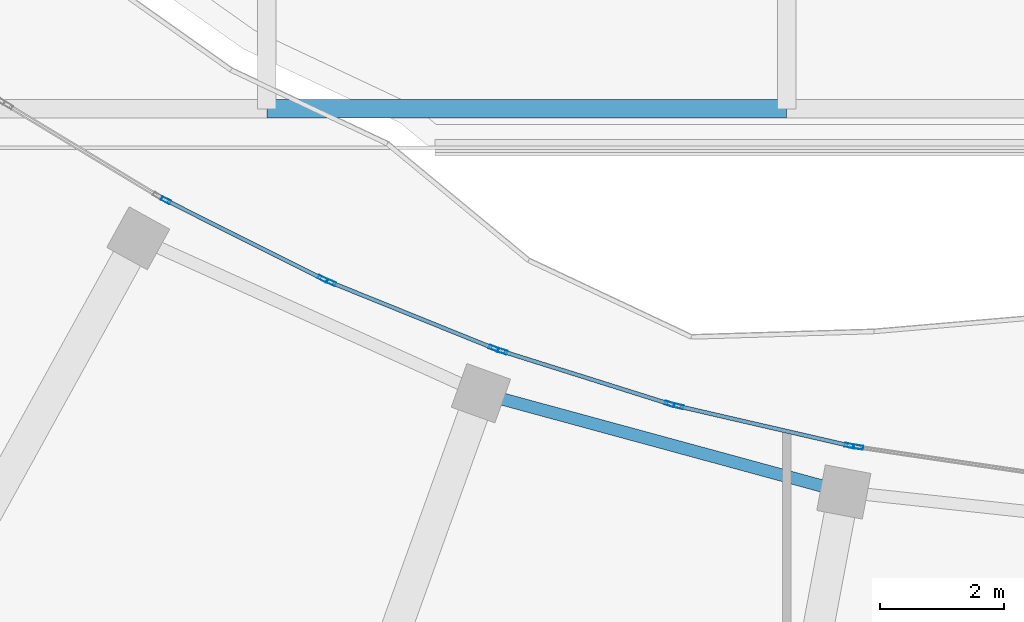
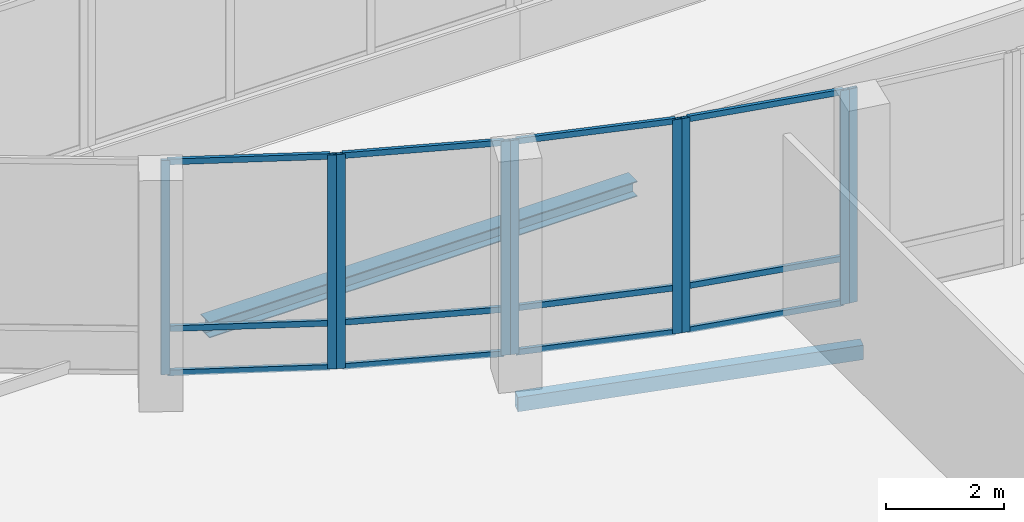
# One storey, part 31 of 168: 21 members, 2 beams, 5 elements without a shape of their own.
"""IFC4 building model written with IfcOpenShell, lengths in metres."""

from ifc_helpers import new_model, si_unit, direction, frame, origin, origin_2d, place, context, subcontext, project, spatial, hollow_rectangle, i_section, extrude, material, material_profile, profile_set, type_object, element, aggregate, save


model = new_model("IFC4")

# Units and contexts
model_context = context("Model", 3, precision=1e-05, world=origin(), true_north=direction((0.0, 1.0)))
body_context = subcontext(model_context, "Body", "Model", "MODEL_VIEW")
ifc_project = project(units=[si_unit("LENGTHUNIT", "METRE"), si_unit("AREAUNIT", "SQUARE_METRE"), si_unit("VOLUMEUNIT", "CUBIC_METRE"), si_unit("PLANEANGLEUNIT", "RADIAN"), si_unit("MASSUNIT", "GRAM", prefix="KILO")], contexts=[model_context])

# Site, building, storey
site_placement = place(None, origin())
site = spatial("IfcSite", under=ifc_project, at=site_placement, CompositionType="ELEMENT")
building_placement = place(site_placement, origin())
building = spatial("IfcBuilding", under=site, at=building_placement, Name="Selatvlak General Hospital", CompositionType="ELEMENT")
storey_placement = place(building_placement, frame((0.0, 0.0, 5.39990234375)))
storey = spatial("IfcBuildingStorey", under=building, at=storey_placement, Name="L01", CompositionType="ELEMENT", Elevation=5.39990234375)

# Beams
ifc_material_1 = material(Name="Steel S355", Category="steel")
ifc_material_profile_1 = material_profile(ifc_material_1, i_section(OverallWidth=0.300048828125, OverallDepth=0.320068359375, WebThickness=0.011474609375, FlangeThickness=0.0205078125, at=origin_2d()), Name="HEB 320")
ifc_profile_set_1 = profile_set([ifc_material_profile_1], Name="Steel S355")
beam_type_1 = type_object("IfcBeamType", Name="BM-CAN", PredefinedType="BEAM", material=ifc_profile_set_1)
beam_1_placement = place(storey_placement, frame((39.60009765625, 48.10009765625, -0.47998046875), z_axis=(1.0, 0.0, 0.0), x_axis=(0.0, 1.0, 0.0)))
element("IfcBeam", 1, at=beam_1_placement, inside=storey, type_object=beam_type_1, Name="Beam BMR-L01-2940", PredefinedType="BEAM", context=body_context, shape_type="SweptSolid", body=[
    extrude(i_section(OverallWidth=0.300048828125, OverallDepth=0.320068359375, WebThickness=0.011474609375, FlangeThickness=0.0205078125, at=origin_2d()), origin(), (0.0, 0.0, 1.0), 8.39990234375),
])
ifc_material_profile_2 = material_profile(ifc_material_1, hollow_rectangle(XDim=0.199951171875, YDim=0.300048828125, WallThickness=0.011962890625, at=origin_2d()), Name="RHS 300x200x12")
ifc_profile_set_2 = profile_set([ifc_material_profile_2], Name="Steel S355")
beam_type_2 = type_object("IfcBeamType", Name="BM-SP3", PredefinedType="SPANDREL", material=ifc_profile_set_2)
beam_2_placement = place(storey_placement, frame((43.05908203125, 43.506103515625, -0.469970703125), z_axis=(0.9649036472, -0.262604172892, 0.0), x_axis=(0.262604172892, 0.9649036472, 0.0)))
element("IfcBeam", 2, at=beam_2_placement, inside=storey, type_object=beam_type_2, Name="Beam BMR-L01-0737", PredefinedType="SPANDREL", context=body_context, shape_type="SweptSolid", body=[
    extrude(hollow_rectangle(XDim=0.199951171875, YDim=0.300048828125, WallThickness=0.011962890625, at=origin_2d()), origin(), (0.0, 0.0, 1.0), 6.078369140625),
])

# Curtain wall, members
ifc_material_2 = material(Name="Solar-control Low-E double glazing", Category="glass")
curtain_wall_type_1 = type_object("IfcCurtainWallType", Name="CW-CW-02", PredefinedType="USERDEFINED", material=ifc_material_2)
curtain_wall_1_placement = place(storey_placement, origin())
curtain_wall_1 = element("IfcCurtainWall", 3, at=curtain_wall_1_placement, inside=storey, type_object=curtain_wall_type_1, Name="Glazed facade curtain wall CW-L01-0192", ObjectType="UNITISED CURTAIN WALL", PredefinedType="USERDEFINED")
ifc_material_3 = material(Name="Dark anodised aluminium mullion", Category="aluminium")
ifc_material_profile_3 = material_profile(ifc_material_3, hollow_rectangle(XDim=0.06494140625, YDim=0.159912109375, WallThickness=0.00390625, at=origin_2d()), Name="AL-MUL 65x160x4")
ifc_profile_set_3 = profile_set([ifc_material_profile_3], Name="Dark anodised aluminium mullion")
member_type_1 = type_object("IfcMemberType", Name="CWM-01", PredefinedType="MULLION", material=ifc_profile_set_3)
member_1_placement = place(storey_placement, frame((37.968017578125, 46.62353515625, 0.0), z_axis=(0.0, 0.0, 1.0), x_axis=(0.447627060006, 0.894220339262, 0.0)))
member_1 = element("IfcMember", 4, at=member_1_placement, type_object=member_type_1, Name="CW-02 mullion 1", PredefinedType="MULLION", context=body_context, shape_type="SweptSolid", body=[
    extrude(hollow_rectangle(XDim=0.06494140625, YDim=0.159912109375, WallThickness=0.00390625, at=origin_2d()), origin(), (0.0, 0.0, 1.0), 4.445068359375),
])
member_2_placement = place(storey_placement, frame((40.5048828125, 45.353515625, 0.0), z_axis=(0.0, 0.0, 1.0), x_axis=(0.447627060006, 0.894220339262, 0.0)))
member_2 = element("IfcMember", 5, at=member_2_placement, type_object=member_type_1, Name="CW-02 mullion 2", PredefinedType="MULLION", context=body_context, shape_type="SweptSolid", body=[
    extrude(hollow_rectangle(XDim=0.06494140625, YDim=0.159912109375, WallThickness=0.00390625, at=origin_2d()), origin(), (0.0, 0.0, 1.0), 4.445068359375),
])

curtain_wall_type_2 = type_object("IfcCurtainWallType", Name="CW-CW-01", PredefinedType="USERDEFINED", material=ifc_material_2)
curtain_wall_2_placement = place(storey_placement, origin())
curtain_wall_2 = element("IfcCurtainWall", 6, at=curtain_wall_2_placement, inside=storey, type_object=curtain_wall_type_2, Name="Glazed facade curtain wall CW-L01-0193", ObjectType="UNITISED CURTAIN WALL", PredefinedType="USERDEFINED")
member_3_placement = place(storey_placement, frame((40.63720703125, 45.294921875, 0.0), z_axis=(0.0, 0.0, 1.0), x_axis=(0.374953034584, 0.927043807949, 0.0)))
member_3 = element("IfcMember", 7, at=member_3_placement, type_object=member_type_1, Name="CW-01 mullion 1", PredefinedType="MULLION", context=body_context, shape_type="SweptSolid", body=[
    extrude(hollow_rectangle(XDim=0.06494140625, YDim=0.159912109375, WallThickness=0.00390625, at=origin_2d()), origin(), (0.0, 0.0, 1.0), 4.445068359375),
])
member_4_placement = place(storey_placement, frame((43.266845703125, 44.231201171875, 0.0), z_axis=(0.0, 0.0, 1.0), x_axis=(0.374953034584, 0.927043807949, 0.0)))
member_4 = element("IfcMember", 8, at=member_4_placement, type_object=member_type_1, Name="CW-01 mullion 2", PredefinedType="MULLION", context=body_context, shape_type="SweptSolid", body=[
    extrude(hollow_rectangle(XDim=0.06494140625, YDim=0.159912109375, WallThickness=0.00390625, at=origin_2d()), origin(), (0.0, 0.0, 1.0), 4.445068359375),
])

curtain_wall_3_placement = place(storey_placement, origin())
curtain_wall_3 = element("IfcCurtainWall", 9, at=curtain_wall_3_placement, inside=storey, type_object=curtain_wall_type_1, Name="Glazed facade curtain wall CW-L01-0194", ObjectType="UNITISED CURTAIN WALL", PredefinedType="USERDEFINED")
member_5_placement = place(storey_placement, frame((43.404052734375, 44.183349609375, 0.0), z_axis=(0.0, 0.0, 1.0), x_axis=(0.300372930504, 0.953821840084, 0.0)))
member_5 = element("IfcMember", 10, at=member_5_placement, type_object=member_type_1, Name="CW-02 mullion 1", PredefinedType="MULLION", context=body_context, shape_type="SweptSolid", body=[
    extrude(hollow_rectangle(XDim=0.06494140625, YDim=0.159912109375, WallThickness=0.00390625, at=origin_2d()), origin(), (0.0, 0.0, 1.0), 4.445068359375),
])
member_6_placement = place(storey_placement, frame((46.111083984375, 43.330810546875, 0.0), z_axis=(0.0, 0.0, 1.0), x_axis=(0.300372930504, 0.953821840084, 0.0)))
member_6 = element("IfcMember", 11, at=member_6_placement, type_object=member_type_1, Name="CW-02 mullion 2", PredefinedType="MULLION", context=body_context, shape_type="SweptSolid", body=[
    extrude(hollow_rectangle(XDim=0.06494140625, YDim=0.159912109375, WallThickness=0.00390625, at=origin_2d()), origin(), (0.0, 0.0, 1.0), 4.445068359375),
])

curtain_wall_4_placement = place(storey_placement, origin())
curtain_wall_4 = element("IfcCurtainWall", 12, at=curtain_wall_4_placement, inside=storey, type_object=curtain_wall_type_2, Name="Glazed facade curtain wall CW-L01-0195", ObjectType="UNITISED CURTAIN WALL", PredefinedType="USERDEFINED")
member_7_placement = place(storey_placement, frame((46.251708984375, 43.294677734375, 0.0), z_axis=(0.0, 0.0, 1.0), x_axis=(0.224481730976, 0.974478297582, 0.0)))
member_7 = element("IfcMember", 13, at=member_7_placement, type_object=member_type_1, Name="CW-01 mullion 1", PredefinedType="MULLION", context=body_context, shape_type="SweptSolid", body=[
    extrude(hollow_rectangle(XDim=0.06494140625, YDim=0.159912109375, WallThickness=0.00390625, at=origin_2d()), origin(), (0.0, 0.0, 1.0), 4.445068359375),
])
member_8_placement = place(storey_placement, frame((49.014404296875, 42.658203125, 0.0), z_axis=(0.0, 0.0, 1.0), x_axis=(0.224481730976, 0.974478297582, 0.0)))
member_8 = element("IfcMember", 14, at=member_8_placement, type_object=member_type_1, Name="CW-01 mullion 2", PredefinedType="MULLION", context=body_context, shape_type="SweptSolid", body=[
    extrude(hollow_rectangle(XDim=0.06494140625, YDim=0.159912109375, WallThickness=0.00390625, at=origin_2d()), origin(), (0.0, 0.0, 1.0), 4.445068359375),
])

# Curtain wall, member
curtain_wall_5_placement = place(storey_placement, origin())
curtain_wall_5 = element("IfcCurtainWall", 15, at=curtain_wall_5_placement, inside=storey, type_object=curtain_wall_type_1, Name="Glazed facade curtain wall CW-L01-0196", ObjectType="UNITISED CURTAIN WALL", PredefinedType="USERDEFINED")
member_9_placement = place(storey_placement, frame((49.1572265625, 42.63427734375, 0.0), z_axis=(0.0, 0.0, 1.0), x_axis=(0.146148900327, 0.989262603626, 0.0)))
member_9 = element("IfcMember", 16, at=member_9_placement, type_object=member_type_1, Name="CW-02 mullion 1", PredefinedType="MULLION", context=body_context, shape_type="SweptSolid", body=[
    extrude(hollow_rectangle(XDim=0.06494140625, YDim=0.159912109375, WallThickness=0.00390625, at=origin_2d()), origin(), (0.0, 0.0, 1.0), 4.445068359375),
])
aggregate(curtain_wall_5, [member_9])

# Member
ifc_material_profile_4 = material_profile(ifc_material_3, hollow_rectangle(XDim=0.06494140625, YDim=0.1201171875, WallThickness=0.00390625, at=origin_2d()), Name="AL-TRN 65x120x4")
ifc_profile_set_4 = profile_set([ifc_material_profile_4], Name="Dark anodised aluminium mullion")
member_type_2 = type_object("IfcMemberType", Name="CWT-01", PredefinedType="USERDEFINED", material=ifc_profile_set_4)
member_10_placement = place(storey_placement, frame((37.9970703125, 46.60888671875, 0.03271484375), z_axis=(0.894233340341, -0.447601086931, 0.0), x_axis=(0.447601086931, 0.894233340341, 0.0)))
member_10 = element("IfcMember", 17, at=member_10_placement, type_object=member_type_2, Name="CW-02 transom 1.1", ObjectType="TRANSOM", PredefinedType="USERDEFINED", context=body_context, shape_type="SweptSolid", body=[
    extrude(hollow_rectangle(XDim=0.06494140625, YDim=0.1201171875, WallThickness=0.00390625, at=origin_2d()), origin(), (0.0, 0.0, 1.0), 2.77197265625),
])

member_11_placement = place(storey_placement, frame((37.9970703125, 46.60888671875, 0.9501953125), z_axis=(0.894233340341, -0.447601086931, 0.0), x_axis=(0.447601086931, 0.894233340341, 0.0)))
member_11 = element("IfcMember", 18, at=member_11_placement, type_object=member_type_2, Name="CW-02 transom 1.2", ObjectType="TRANSOM", PredefinedType="USERDEFINED", context=body_context, shape_type="SweptSolid", body=[
    extrude(hollow_rectangle(XDim=0.06494140625, YDim=0.1201171875, WallThickness=0.00390625, at=origin_2d()), origin(), (0.0, 0.0, 1.0), 2.77197265625),
])

member_12_placement = place(storey_placement, frame((37.9970703125, 46.60888671875, 4.41259765625), z_axis=(0.894233340341, -0.447601086931, 0.0), x_axis=(0.447601086931, 0.894233340341, 0.0)))
member_12 = element("IfcMember", 19, at=member_12_placement, type_object=member_type_2, Name="CW-02 transom 1.3", ObjectType="TRANSOM", PredefinedType="USERDEFINED", context=body_context, shape_type="SweptSolid", body=[
    extrude(hollow_rectangle(XDim=0.06494140625, YDim=0.1201171875, WallThickness=0.00390625, at=origin_2d()), origin(), (0.0, 0.0, 1.0), 2.77197265625),
])

aggregate(curtain_wall_1, [member_1, member_2, member_10, member_11, member_12])

member_13_placement = place(storey_placement, frame((40.667236328125, 45.28271484375, 0.03271484375), z_axis=(0.927042328335, -0.3749566928, 0.0), x_axis=(0.3749566928, 0.927042328335, 0.0)))
member_13 = element("IfcMember", 20, at=member_13_placement, type_object=member_type_2, Name="CW-01 transom 1.1", ObjectType="TRANSOM", PredefinedType="USERDEFINED", context=body_context, shape_type="SweptSolid", body=[
    extrude(hollow_rectangle(XDim=0.06494140625, YDim=0.1201171875, WallThickness=0.00390625, at=origin_2d()), origin(), (0.0, 0.0, 1.0), 2.771728515625),
])

member_14_placement = place(storey_placement, frame((40.667236328125, 45.28271484375, 0.9501953125), z_axis=(0.927042328335, -0.3749566928, 0.0), x_axis=(0.3749566928, 0.927042328335, 0.0)))
member_14 = element("IfcMember", 21, at=member_14_placement, type_object=member_type_2, Name="CW-01 transom 1.2", ObjectType="TRANSOM", PredefinedType="USERDEFINED", context=body_context, shape_type="SweptSolid", body=[
    extrude(hollow_rectangle(XDim=0.06494140625, YDim=0.1201171875, WallThickness=0.00390625, at=origin_2d()), origin(), (0.0, 0.0, 1.0), 2.771728515625),
])

member_15_placement = place(storey_placement, frame((40.667236328125, 45.28271484375, 4.41259765625), z_axis=(0.927042328335, -0.3749566928, 0.0), x_axis=(0.3749566928, 0.927042328335, 0.0)))
member_15 = element("IfcMember", 22, at=member_15_placement, type_object=member_type_2, Name="CW-01 transom 1.3", ObjectType="TRANSOM", PredefinedType="USERDEFINED", context=body_context, shape_type="SweptSolid", body=[
    extrude(hollow_rectangle(XDim=0.06494140625, YDim=0.1201171875, WallThickness=0.00390625, at=origin_2d()), origin(), (0.0, 0.0, 1.0), 2.771728515625),
])

aggregate(curtain_wall_2, [member_3, member_4, member_13, member_14, member_15])

member_16_placement = place(storey_placement, frame((43.43505859375, 44.173583984375, 0.03271484375), z_axis=(0.953816556591, -0.300389707503, 0.0), x_axis=(0.300389707503, 0.953816556591, 0.0)))
member_16 = element("IfcMember", 23, at=member_16_placement, type_object=member_type_2, Name="CW-02 transom 1.1", ObjectType="TRANSOM", PredefinedType="USERDEFINED", context=body_context, shape_type="SweptSolid", body=[
    extrude(hollow_rectangle(XDim=0.06494140625, YDim=0.1201171875, WallThickness=0.00390625, at=origin_2d()), origin(), (0.0, 0.0, 1.0), 2.773193359375),
])

member_17_placement = place(storey_placement, frame((43.43505859375, 44.173583984375, 0.9501953125), z_axis=(0.953816556591, -0.300389707503, 0.0), x_axis=(0.300389707503, 0.953816556591, 0.0)))
member_17 = element("IfcMember", 24, at=member_17_placement, type_object=member_type_2, Name="CW-02 transom 1.2", ObjectType="TRANSOM", PredefinedType="USERDEFINED", context=body_context, shape_type="SweptSolid", body=[
    extrude(hollow_rectangle(XDim=0.06494140625, YDim=0.1201171875, WallThickness=0.00390625, at=origin_2d()), origin(), (0.0, 0.0, 1.0), 2.773193359375),
])

member_18_placement = place(storey_placement, frame((43.43505859375, 44.173583984375, 4.41259765625), z_axis=(0.953816556591, -0.300389707503, 0.0), x_axis=(0.300389707503, 0.953816556591, 0.0)))
member_18 = element("IfcMember", 25, at=member_18_placement, type_object=member_type_2, Name="CW-02 transom 1.3", ObjectType="TRANSOM", PredefinedType="USERDEFINED", context=body_context, shape_type="SweptSolid", body=[
    extrude(hollow_rectangle(XDim=0.06494140625, YDim=0.1201171875, WallThickness=0.00390625, at=origin_2d()), origin(), (0.0, 0.0, 1.0), 2.773193359375),
])

aggregate(curtain_wall_3, [member_5, member_6, member_16, member_17, member_18])

member_19_placement = place(storey_placement, frame((46.283447265625, 43.287353515625, 0.03271484375), z_axis=(0.974475800427, -0.224492570883, 0.0), x_axis=(0.224492570883, 0.974475800427, 0.0)))
member_19 = element("IfcMember", 26, at=member_19_placement, type_object=member_type_2, Name="CW-01 transom 1.1", ObjectType="TRANSOM", PredefinedType="USERDEFINED", context=body_context, shape_type="SweptSolid", body=[
    extrude(hollow_rectangle(XDim=0.06494140625, YDim=0.1201171875, WallThickness=0.00390625, at=origin_2d()), origin(), (0.0, 0.0, 1.0), 2.77001953125),
])

member_20_placement = place(storey_placement, frame((46.283447265625, 43.287353515625, 0.9501953125), z_axis=(0.974475800427, -0.224492570883, 0.0), x_axis=(0.224492570883, 0.974475800427, 0.0)))
member_20 = element("IfcMember", 27, at=member_20_placement, type_object=member_type_2, Name="CW-01 transom 1.2", ObjectType="TRANSOM", PredefinedType="USERDEFINED", context=body_context, shape_type="SweptSolid", body=[
    extrude(hollow_rectangle(XDim=0.06494140625, YDim=0.1201171875, WallThickness=0.00390625, at=origin_2d()), origin(), (0.0, 0.0, 1.0), 2.77001953125),
])

member_21_placement = place(storey_placement, frame((46.283447265625, 43.287353515625, 4.41259765625), z_axis=(0.974475800427, -0.224492570883, 0.0), x_axis=(0.224492570883, 0.974475800427, 0.0)))
member_21 = element("IfcMember", 28, at=member_21_placement, type_object=member_type_2, Name="CW-01 transom 1.3", ObjectType="TRANSOM", PredefinedType="USERDEFINED", context=body_context, shape_type="SweptSolid", body=[
    extrude(hollow_rectangle(XDim=0.06494140625, YDim=0.1201171875, WallThickness=0.00390625, at=origin_2d()), origin(), (0.0, 0.0, 1.0), 2.77001953125),
])

aggregate(curtain_wall_4, [member_7, member_8, member_19, member_20, member_21])

save(model, "model.ifc")
